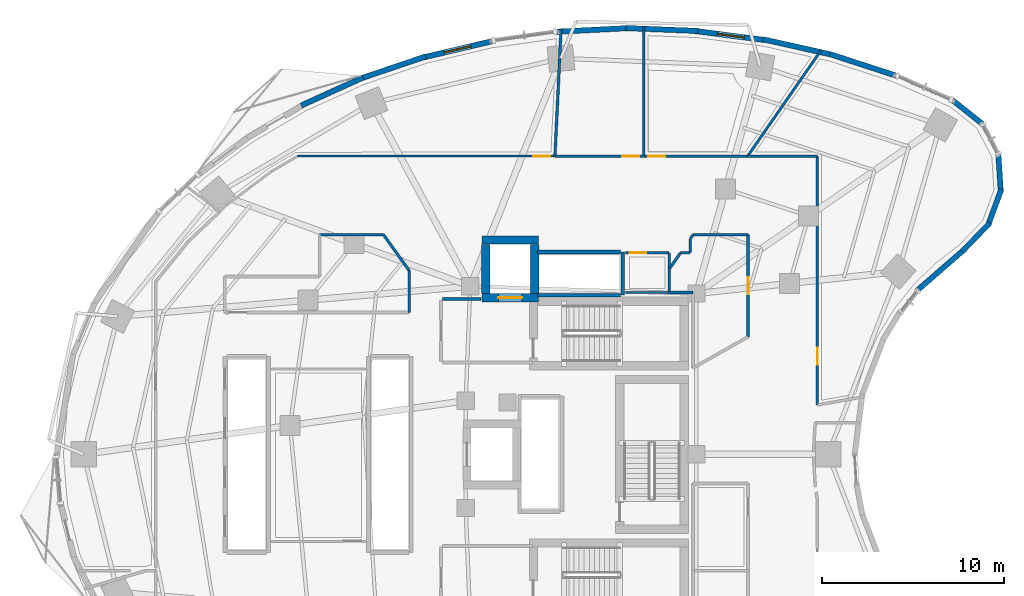
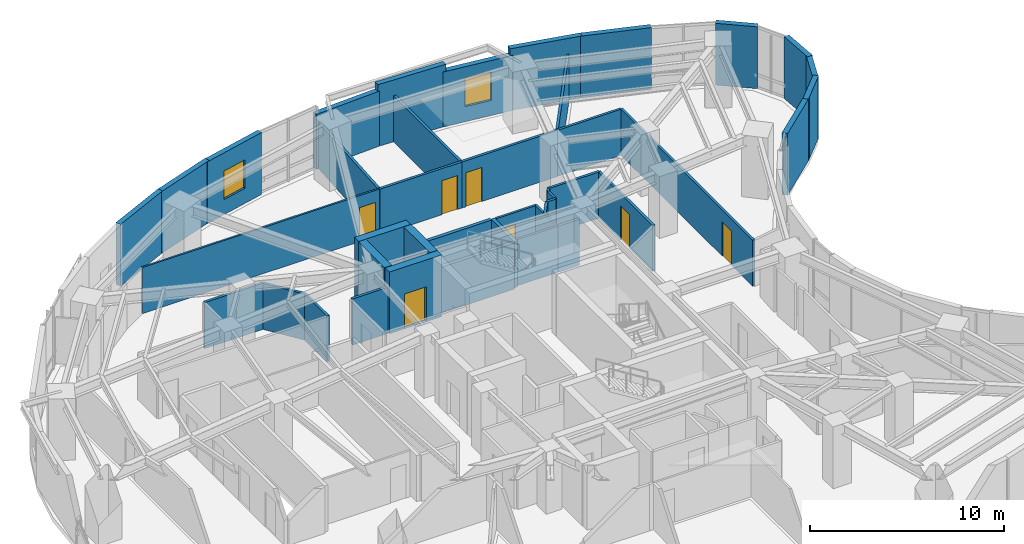
# One storey, part 11 of 15: 42 walls, 7 doors, 2 windows, 9 openings.
"""IFC4 building model written with IfcOpenShell, lengths in metres."""

from ifc_helpers import new_model, si_unit, direction, frame, frame_2d, origin, place, context, subcontext, project, spatial, rectangle, extrude, material, layer, layer_set, type_object, element, fill, save


model = new_model("IFC4")

# Units and contexts
model_context = context("Model", 3, precision=1e-05, world=origin(), true_north=direction((0.0, 1.0)))
body_context = subcontext(model_context, "Body", "Model", "MODEL_VIEW")
ifc_project = project(units=[si_unit("LENGTHUNIT", "METRE"), si_unit("AREAUNIT", "SQUARE_METRE"), si_unit("VOLUMEUNIT", "CUBIC_METRE"), si_unit("PLANEANGLEUNIT", "RADIAN"), si_unit("MASSUNIT", "GRAM", prefix="KILO")], contexts=[model_context])

# Site, building, storey
site_placement = place(None, origin())
site = spatial("IfcSite", under=ifc_project, at=site_placement, CompositionType="ELEMENT")
building_placement = place(site_placement, origin())
building = spatial("IfcBuilding", under=site, at=building_placement, Name="Korentha Bioscience Tower", CompositionType="ELEMENT")
storey_placement = place(building_placement, frame((0.0, 0.0, 38.39990234375)))
storey = spatial("IfcBuildingStorey", under=building, at=storey_placement, Name="L08", CompositionType="ELEMENT", Elevation=38.39990234375)

# Wall, opening, door
ifc_material_1 = material(Name="Double-Stud Acoustic Gypsum", Category="gypsum")
ifc_layer_1 = layer(ifc_material_1, 0.14990234375, Name="Double-Stud Acoustic Gypsum")
ifc_layer_set_1 = layer_set([ifc_layer_1], Name="Double-Stud Acoustic Gypsum (IW-L150)")
wall_type_1 = type_object("IfcWallType", Name="Acoustic Laboratory Partition Wall 150", PredefinedType="PARTITIONING", material=ifc_layer_set_1)
wall_1_placement = place(storey_placement, frame((40.389892578125, 39.090087890625, 0.0), z_axis=(0.0, 0.0, 1.0), x_axis=(0.0, -1.0, 0.0)))
wall_1 = element("IfcWall", 1, at=wall_1_placement, inside=storey, type_object=wall_type_1, Name="L08 Fluorescence Confocal Microscopy Room 10 Entrance Wall", PredefinedType="PARTITIONING", context=body_context, shape_type="SweptSolid", body=[
    extrude(rectangle(XDim=5.62109375, YDim=0.14990234375, at=frame_2d((2.810546875, 0.0))), origin(), (0.0, 0.0, 1.0), 2.91015625),
])
opening_1_placement = place(wall_1_placement, frame((2.33544921875, 0.0, 0.0)))
opening_1 = element("IfcOpeningElement", 2, at=opening_1_placement, cuts=wall_1, Name="Opening ID-10R", PredefinedType="OPENING", context=body_context, shape_type="SweptSolid", body=[
    extrude(rectangle(XDim=0.949951171875, YDim=2.14990234375, at=frame_2d((0.47509765625, 1.074951171875))), frame((0.0, 0.08984375, 0.0), z_axis=(0.0, -1.0, 0.0), x_axis=(1.0, 0.0, 0.0)), (0.0, 0.0, 1.0), 0.1796875),
])
ifc_material_2 = material(Name="Phenolic Laminate Timber Core", Category="wood")
door_type_1 = type_object("IfcDoorType", Name="Laboratory Single Leaf Door 950x2150 Right", OperationType="SINGLE_SWING_RIGHT", PredefinedType="DOOR", material=ifc_material_2)
door_1_placement = place(opening_1_placement, origin())
door_1 = element("IfcDoor", 3, at=door_1_placement, inside=storey, type_object=door_type_1, Name="L08 Fluorescence Confocal Microscopy Room 10 Door", OperationType="SINGLE_SWING_RIGHT", OverallHeight=2.14990234375, OverallWidth=0.949951171875, PredefinedType="DOOR", context=body_context, shape_type="SweptSolid", body=[
    extrude(rectangle(XDim=0.949951171875, YDim=2.14990234375, at=frame_2d((0.47509765625, 1.074951171875))), frame((0.0, 0.02490234375, 0.0), z_axis=(0.0, -1.0, 0.0), x_axis=(1.0, 0.0, 0.0)), (0.0, 0.0, 1.0), 0.050048828125),
])
fill(opening_1, door_1)

wall_2_placement = place(storey_placement, frame((40.35302734375, 43.409912109375, 0.0), z_axis=(0.0, 0.0, 1.0), x_axis=(-1.0, 0.0, 0.0)))
wall_2 = element("IfcWall", 4, at=wall_2_placement, inside=storey, type_object=wall_type_1, Name="L08 Incubator and Bioreactor Suite 11 Entrance Wall", PredefinedType="PARTITIONING", context=body_context, shape_type="SweptSolid", body=[
    extrude(rectangle(XDim=5.700927734375, YDim=0.14990234375, at=frame_2d((2.8505859375, 0.0))), origin(), (0.0, 0.0, 1.0), 2.91015625),
])
opening_2_placement = place(wall_2_placement, frame((4.510986328125, 0.0, 0.0)))
opening_2 = element("IfcOpeningElement", 5, at=opening_2_placement, cuts=wall_2, Name="Opening ID-10L", PredefinedType="OPENING", context=body_context, shape_type="SweptSolid", body=[
    extrude(rectangle(XDim=0.949951171875, YDim=2.14990234375, at=frame_2d((0.47509765625, 1.074951171875))), frame((0.0, 0.08984375, 0.0), z_axis=(0.0, -1.0, 0.0), x_axis=(1.0, 0.0, 0.0)), (0.0, 0.0, 1.0), 0.1796875),
])
door_type_2 = type_object("IfcDoorType", Name="Laboratory Single Leaf Door 950x2150 Left", OperationType="SINGLE_SWING_LEFT", PredefinedType="DOOR", material=ifc_material_2)
door_2_placement = place(opening_2_placement, origin())
door_2 = element("IfcDoor", 6, at=door_2_placement, inside=storey, type_object=door_type_2, Name="L08 Incubator and Bioreactor Suite 11 Door", OperationType="SINGLE_SWING_LEFT", OverallHeight=2.14990234375, OverallWidth=0.949951171875, PredefinedType="DOOR", context=body_context, shape_type="SweptSolid", body=[
    extrude(rectangle(XDim=0.949951171875, YDim=2.14990234375, at=frame_2d((0.47509765625, 1.074951171875))), frame((0.0, 0.02490234375, 0.0), z_axis=(0.0, -1.0, 0.0), x_axis=(1.0, 0.0, 0.0)), (0.0, 0.0, 1.0), 0.050048828125),
])
fill(opening_2, door_2)

wall_3_placement = place(storey_placement, frame((34.64208984375, 43.409912109375, 0.0), z_axis=(0.0, 0.0, 1.0), x_axis=(-1.0, 0.0, 0.0)))
wall_3 = element("IfcWall", 7, at=wall_3_placement, inside=storey, type_object=wall_type_1, Name="L08 Translational Medicine Team Office 12 Entrance Wall", PredefinedType="PARTITIONING", context=body_context, shape_type="SweptSolid", body=[
    extrude(rectangle(XDim=4.88037109375, YDim=0.14990234375, at=frame_2d((2.440185546875, 0.0))), origin(), (0.0, 0.0, 1.0), 2.91015625),
])
opening_3_placement = place(wall_3_placement, frame((0.239990234375, 0.0, 0.0)))
opening_3 = element("IfcOpeningElement", 8, at=opening_3_placement, cuts=wall_3, Name="Opening ID-10R", PredefinedType="OPENING", context=body_context, shape_type="SweptSolid", body=[
    extrude(rectangle(XDim=0.949951171875, YDim=2.14990234375, at=frame_2d((0.47509765625, 1.074951171875))), frame((0.0, 0.08984375, 0.0), z_axis=(0.0, -1.0, 0.0), x_axis=(1.0, 0.0, 0.0)), (0.0, 0.0, 1.0), 0.1796875),
])
door_3_placement = place(opening_3_placement, origin())
door_3 = element("IfcDoor", 9, at=door_3_placement, inside=storey, type_object=door_type_1, Name="L08 Translational Medicine Team Office 12 Door", OperationType="SINGLE_SWING_RIGHT", OverallHeight=2.14990234375, OverallWidth=0.949951171875, PredefinedType="DOOR", context=body_context, shape_type="SweptSolid", body=[
    extrude(rectangle(XDim=0.949951171875, YDim=2.14990234375, at=frame_2d((0.47509765625, 1.074951171875))), frame((0.0, 0.02490234375, 0.0), z_axis=(0.0, -1.0, 0.0), x_axis=(1.0, 0.0, 0.0)), (0.0, 0.0, 1.0), 0.050048828125),
])
fill(opening_3, door_3)

# Walls
wall_4_placement = place(storey_placement, frame((36.67138671875, 38.090087890625, 0.0), z_axis=(0.0, 0.0, 1.0), x_axis=(1.0, 0.0, 0.0)))
element("IfcWall", 10, at=wall_4_placement, inside=storey, type_object=wall_type_1, Name="L08 Interior Partition 060", PredefinedType="PARTITIONING", context=body_context, shape_type="SweptSolid", body=[
    extrude(rectangle(XDim=0.528564453125, YDim=0.14990234375, at=frame_2d((0.26416015625, 0.0))), origin(), (0.0, 0.0, 1.0), 2.91015625),
])
wall_5_placement = place(storey_placement, frame((37.2099609375, 38.10009765625, 0.0), z_axis=(0.0, 0.0, 1.0), x_axis=(0.0, 1.0, 0.0)))
element("IfcWall", 11, at=wall_5_placement, inside=storey, type_object=wall_type_1, Name="L08 Interior Partition 061", PredefinedType="PARTITIONING", context=body_context, shape_type="SweptSolid", body=[
    extrude(rectangle(XDim=0.76611328125, YDim=0.14990234375, at=frame_2d((0.383056640625, 0.0))), origin(), (0.0, 0.0, 1.0), 2.91015625),
])
wall_6_placement = place(storey_placement, frame((37.2099609375, 38.8662109375, 0.0), z_axis=(0.0, 0.0, 1.0), x_axis=(0.570513293283, 0.821288367254, 0.0)))
element("IfcWall", 12, at=wall_6_placement, inside=storey, type_object=wall_type_1, Name="L08 Interior Partition 062", PredefinedType="PARTITIONING", context=body_context, shape_type="SweptSolid", body=[
    extrude(rectangle(XDim=0.272705078125, YDim=0.14990234375, at=frame_2d((0.13623046875, 0.0))), origin(), (0.0, 0.0, 1.0), 2.91015625),
])
wall_7_placement = place(storey_placement, frame((37.365478515625, 39.090087890625, 0.0), z_axis=(0.0, 0.0, 1.0), x_axis=(1.0, 0.0, 0.0)))
element("IfcWall", 13, at=wall_7_placement, inside=storey, type_object=wall_type_1, Name="L08 Interior Partition 063", PredefinedType="PARTITIONING", context=body_context, shape_type="SweptSolid", body=[
    extrude(rectangle(XDim=3.0244140625, YDim=0.14990234375, at=frame_2d((1.51220703125, 0.0))), origin(), (0.0, 0.0, 1.0), 2.91015625),
])
wall_8_placement = place(storey_placement, frame((37.35009765625, 35.909912109375, 0.0), z_axis=(0.0, 0.0, 1.0), x_axis=(-1.0, 0.0, 0.0)))
element("IfcWall", 14, at=wall_8_placement, inside=storey, type_object=wall_type_1, Name="L08 Interior Partition 066", PredefinedType="PARTITIONING", context=body_context, shape_type="SweptSolid", body=[
    extrude(rectangle(XDim=1.2900390625, YDim=0.14990234375, at=frame_2d((0.64501953125, 0.0))), origin(), (0.0, 0.0, 1.0), 2.91015625),
])
wall_9_placement = place(storey_placement, frame((36.06005859375, 37.208740234375, 0.0), z_axis=(0.0, 0.0, 1.0), x_axis=(0.569943577232, 0.821683831393, 0.0)))
element("IfcWall", 15, at=wall_9_placement, inside=storey, type_object=wall_type_1, Name="L08 Interior Partition 067", PredefinedType="PARTITIONING", context=body_context, shape_type="SweptSolid", body=[
    extrude(rectangle(XDim=1.072509765625, YDim=0.14990234375, at=frame_2d((0.5361328125, 0.0))), origin(), (0.0, 0.0, 1.0), 2.91015625),
])
wall_10_placement = place(storey_placement, frame((34.652099609375, 43.409912109375, 0.0), z_axis=(0.0, 0.0, 1.0), x_axis=(0.0, 1.0, 0.0)))
element("IfcWall", 16, at=wall_10_placement, inside=storey, type_object=wall_type_1, Name="L08 Interior Partition 068", PredefinedType="PARTITIONING", context=body_context, shape_type="SweptSolid", body=[
    extrude(rectangle(XDim=7.13427734375, YDim=0.14990234375, at=frame_2d((3.567138671875, 0.0))), origin(), (0.0, 0.0, 1.0), 2.91015625),
])
wall_11_placement = place(storey_placement, frame((29.76171875, 43.409912109375, 0.0), z_axis=(0.0, 0.0, 1.0), x_axis=(0.047838889666, 0.99885506488, 0.0)))
element("IfcWall", 17, at=wall_11_placement, inside=storey, type_object=wall_type_1, Name="L08 Interior Partition 069", PredefinedType="PARTITIONING", context=body_context, shape_type="SweptSolid", body=[
    extrude(rectangle(XDim=6.99169921875, YDim=0.14990234375, at=frame_2d((3.495849609375, 0.0))), origin(), (0.0, 0.0, 1.0), 2.91015625),
])
wall_12_placement = place(storey_placement, frame((21.739990234375, 37.111083984375, 0.0), z_axis=(0.0, 0.0, 1.0), x_axis=(0.0, -1.0, 0.0)))
element("IfcWall", 18, at=wall_12_placement, inside=storey, type_object=wall_type_1, Name="L08 Interior Partition 074", PredefinedType="PARTITIONING", context=body_context, shape_type="SweptSolid", body=[
    extrude(rectangle(XDim=2.301025390625, YDim=0.14990234375, at=frame_2d((1.150390625, 0.0))), origin(), (0.0, 0.0, 1.0), 2.91015625),
])
wall_13_placement = place(storey_placement, frame((16.81005859375, 39.090087890625, 0.0), z_axis=(0.0, 0.0, 1.0), x_axis=(1.0, 0.0, 0.0)))
element("IfcWall", 19, at=wall_13_placement, inside=storey, type_object=wall_type_1, Name="L08 Interior Partition 078", PredefinedType="PARTITIONING", context=body_context, shape_type="SweptSolid", body=[
    extrude(rectangle(XDim=3.5146484375, YDim=0.14990234375, at=frame_2d((1.75732421875, 0.0))), origin(), (0.0, 0.0, 1.0), 2.91015625),
])
wall_14_placement = place(storey_placement, frame((20.32470703125, 39.090087890625, 0.0), z_axis=(0.0, 0.0, 1.0), x_axis=(0.581703214005, -0.813401113115, 0.0)))
element("IfcWall", 20, at=wall_14_placement, inside=storey, type_object=wall_type_1, Name="L08 Interior Partition 079", PredefinedType="PARTITIONING", context=body_context, shape_type="SweptSolid", body=[
    extrude(rectangle(XDim=2.43310546875, YDim=0.14990234375, at=frame_2d((1.216552734375, 0.0))), origin(), (0.0, 0.0, 1.0), 2.91015625),
])

# Wall, opening, door
ifc_material_3 = material(Name="Insulated Aluminium Honeycomb Panel", Category="aluminium")
ifc_layer_2 = layer(ifc_material_3, 0.139892578125, Name="Insulated Aluminium Honeycomb Panel")
ifc_layer_set_2 = layer_set([ifc_layer_2], Name="Insulated Aluminium Honeycomb Panel (IW-F60)")
wall_type_2 = type_object("IfcWallType", Name="Cleanroom Flush Metal Panel Partition 140", PredefinedType="PARTITIONING", material=ifc_layer_set_2)
wall_15_placement = place(storey_placement, frame((44.2099609375, 29.719970703125, 0.0), z_axis=(0.0, 0.0, 1.0), x_axis=(0.0, 1.0, 0.0)))
wall_15 = element("IfcWall", 21, at=wall_15_placement, inside=storey, type_object=wall_type_2, Name="L08 Airlock Gowning Anteroom 09 Entrance Wall", PredefinedType="PARTITIONING", context=body_context, shape_type="SweptSolid", body=[
    extrude(rectangle(XDim=13.679931640625, YDim=0.139892578125, at=frame_2d((6.83984375, 0.0))), origin(), (0.0, 0.0, 1.0), 2.91015625),
])
opening_4_placement = place(wall_15_placement, frame((2.2021484375, 0.0, 0.0)))
opening_4 = element("IfcOpeningElement", 22, at=opening_4_placement, cuts=wall_15, Name="Opening ID-10L", PredefinedType="OPENING", context=body_context, shape_type="SweptSolid", body=[
    extrude(rectangle(XDim=0.949951171875, YDim=2.14990234375, at=frame_2d((0.47509765625, 1.074951171875))), frame((0.0, 0.0849609375, 0.0), z_axis=(0.0, -1.0, 0.0), x_axis=(1.0, 0.0, 0.0)), (0.0, 0.0, 1.0), 0.169677734375),
])
door_4_placement = place(opening_4_placement, origin())
door_4 = element("IfcDoor", 23, at=door_4_placement, inside=storey, type_object=door_type_2, Name="L08 Airlock Gowning Anteroom 09 Door", OperationType="SINGLE_SWING_LEFT", OverallHeight=2.14990234375, OverallWidth=0.949951171875, PredefinedType="DOOR", context=body_context, shape_type="SweptSolid", body=[
    extrude(rectangle(XDim=0.949951171875, YDim=2.14990234375, at=frame_2d((0.47509765625, 1.074951171875))), frame((0.0, 0.02490234375, 0.0), z_axis=(0.0, -1.0, 0.0), x_axis=(1.0, 0.0, 0.0)), (0.0, 0.0, 1.0), 0.050048828125),
])
fill(opening_4, door_4)

# Walls
wall_16_placement = place(storey_placement, frame((44.199951171875, 43.409912109375, 0.0), z_axis=(0.0, 0.0, 1.0), x_axis=(-1.0, 0.0, 0.0)))
element("IfcWall", 24, at=wall_16_placement, inside=storey, type_object=wall_type_2, Name="L08 Interior Partition 058", PredefinedType="PARTITIONING", context=body_context, shape_type="SweptSolid", body=[
    extrude(rectangle(XDim=3.8369140625, YDim=0.139892578125, at=frame_2d((1.91845703125, 0.0))), origin(), (0.0, 0.0, 1.0), 2.91015625),
])
wall_17_placement = place(storey_placement, frame((40.363037109375, 43.409912109375, 0.0), z_axis=(0.0, 0.0, 1.0), x_axis=(0.570097674314, 0.821576923813, 0.0)))
element("IfcWall", 25, at=wall_17_placement, inside=storey, type_object=wall_type_2, Name="L08 Interior Partition 059", PredefinedType="PARTITIONING", context=body_context, shape_type="SweptSolid", body=[
    extrude(rectangle(XDim=7.0908203125, YDim=0.139892578125, at=frame_2d((3.54541015625, 0.0))), origin(), (0.0, 0.0, 1.0), 2.91015625),
])

# Wall, opening, door
ifc_material_4 = material(Name="Fire-Rated Framed Glass", Category="glass")
ifc_layer_3 = layer(ifc_material_4, 0.110107421875, Name="Fire-Rated Framed Glass")
ifc_layer_set_3 = layer_set([ifc_layer_3], Name="Fire-Rated Framed Glass (IW-G110)")
wall_type_3 = type_object("IfcWallType", Name="Demountable Glazed Office Partition 110", PredefinedType="MOVABLE", material=ifc_layer_set_3)
wall_18_placement = place(storey_placement, frame((29.751708984375, 43.409912109375, 0.0), z_axis=(0.0, 0.0, 1.0), x_axis=(-1.0, 0.0, 0.0)))
wall_18 = element("IfcWall", 26, at=wall_18_placement, inside=storey, type_object=wall_type_3, Name="L08 Biostatistics Research Office 13 Entrance Wall", PredefinedType="MOVABLE", context=body_context, shape_type="SweptSolid", body=[
    extrude(rectangle(XDim=14.160888671875, YDim=0.110107421875, at=frame_2d((7.08056640625, 0.0))), origin(), (0.0, 0.0, 1.0), 2.91015625),
])
opening_5_placement = place(wall_18_placement, frame((0.239990234375, 0.0, 0.0)))
opening_5 = element("IfcOpeningElement", 27, at=opening_5_placement, cuts=wall_18, Name="Opening ID-10L", PredefinedType="OPENING", context=body_context, shape_type="SweptSolid", body=[
    extrude(rectangle(XDim=0.949951171875, YDim=2.14990234375, at=frame_2d((0.47509765625, 1.074951171875))), frame((0.0, 0.06982421875, 0.0), z_axis=(0.0, -1.0, 0.0), x_axis=(1.0, 0.0, 0.0)), (0.0, 0.0, 1.0), 0.139892578125),
])
door_5_placement = place(opening_5_placement, origin())
door_5 = element("IfcDoor", 28, at=door_5_placement, inside=storey, type_object=door_type_2, Name="L08 Biostatistics Research Office 13 Door", OperationType="SINGLE_SWING_LEFT", OverallHeight=2.14990234375, OverallWidth=0.949951171875, PredefinedType="DOOR", context=body_context, shape_type="SweptSolid", body=[
    extrude(rectangle(XDim=0.949951171875, YDim=2.14990234375, at=frame_2d((0.47509765625, 1.074951171875))), frame((0.0, 0.02490234375, 0.0), z_axis=(0.0, -1.0, 0.0), x_axis=(1.0, 0.0, 0.0)), (0.0, 0.0, 1.0), 0.050048828125),
])
fill(opening_5, door_5)

# Wall
ifc_material_5 = material(Name="Gypsum-Clad Steel Stud", Category="steel")
ifc_layer_4 = layer(ifc_material_5, 0.159912109375, Name="Gypsum-Clad Steel Stud")
ifc_layer_set_4 = layer_set([ifc_layer_4], Name="Gypsum-Clad Steel Stud (IW-C160)")
wall_type_4 = type_object("IfcWallType", Name="Fire-Rated Corridor Partition Wall 160", PredefinedType="PARTITIONING", material=ifc_layer_set_4)
wall_19_placement = place(storey_placement, frame((23.580078125, 35.550048828125, 0.0), z_axis=(0.0, 0.0, 1.0), x_axis=(1.0, 0.0, 0.0)))
element("IfcWall", 29, at=wall_19_placement, inside=storey, type_object=wall_type_4, Name="L08 Firefighting Lobby Return Wall FFLN-N", PredefinedType="PARTITIONING", context=body_context, shape_type="SweptSolid", body=[
    extrude(rectangle(XDim=2.119873046875, YDim=0.159912109375, at=frame_2d((1.06005859375, 0.0))), origin(), (0.0, 0.0, 1.0), 2.91015625),
])

# Wall, opening, window
ifc_material_6 = material(Name="Honed Limestone Precast Concrete C40", Category="masonry")
ifc_layer_5 = layer(ifc_material_6, 0.300048828125, Name="Honed Limestone Precast Concrete C40")
ifc_layer_set_5 = layer_set([ifc_layer_5], Name="Honed Limestone Precast Concrete C40 (EW-ST300)")
wall_type_5 = type_object("IfcWallType", Name="Honed Limestone Cavity Spandrel Wall 300", PredefinedType="STANDARD", material=ifc_layer_set_5)
wall_20_placement = place(storey_placement, frame((41.37255859375, 49.797607421875, 0.0), z_axis=(0.0, 0.0, 1.0), x_axis=(-0.991741322416, 0.128254237408, 0.0)))
wall_20 = element("IfcWall", 30, at=wall_20_placement, inside=storey, type_object=wall_type_5, Name="L08 Honed Limestone Spandrel Wall 04", PredefinedType="STANDARD", context=body_context, shape_type="SweptSolid", body=[
    extrude(rectangle(XDim=3.91552734375, YDim=0.300048828125, at=frame_2d((1.957763671875, 0.0))), origin(), (0.0, 0.0, 1.0), 3.47021484375),
])
opening_6_placement = place(wall_20_placement, frame((1.2080078125, 0.0, 0.949951171875)))
opening_6 = element("IfcOpeningElement", 31, at=opening_6_placement, cuts=wall_20, Name="Opening WN-02", PredefinedType="OPENING", context=body_context, shape_type="SweptSolid", body=[
    extrude(rectangle(XDim=1.5, YDim=1.800048828125, at=frame_2d((0.75, 0.89990234375))), frame((0.0, 0.1650390625, 0.0), z_axis=(0.0, -1.0, 0.0), x_axis=(1.0, 0.0, 0.0)), (0.0, 0.0, 1.0), 0.329833984375),
])
ifc_material_7 = material(Name="Thermally Broken Aluminium Triple Glazing", Category="aluminium")
window_type = type_object("IfcWindowType", Name="Acoustic Operable Office Window 1500x1800", PartitioningType="DOUBLE_PANEL_VERTICAL", PredefinedType="WINDOW", material=ifc_material_7)
window_1_placement = place(opening_6_placement, origin())
window_1 = element("IfcWindow", 32, at=window_1_placement, inside=storey, type_object=window_type, Name="L08 Facade Window 04", OverallHeight=1.800048828125, OverallWidth=1.5, PartitioningType="DOUBLE_PANEL_VERTICAL", PredefinedType="WINDOW", context=body_context, shape_type="SweptSolid", body=[
    extrude(rectangle(XDim=1.5, YDim=1.800048828125, at=frame_2d((0.75, 0.89990234375))), frame((0.0, 0.030029296875, 0.0), z_axis=(0.0, -1.0, 0.0), x_axis=(1.0, 0.0, 0.0)), (0.0, 0.0, 1.0), 0.06005859375),
])
fill(opening_6, window_1)

wall_21_placement = place(storey_placement, frame((26.282470703125, 49.73486328125, 0.0), z_axis=(0.0, 0.0, 1.0), x_axis=(-0.973186156802, -0.230018921417, 0.0)))
wall_21 = element("IfcWall", 33, at=wall_21_placement, inside=storey, type_object=wall_type_5, Name="L08 Honed Limestone Spandrel Wall 08", PredefinedType="STANDARD", context=body_context, shape_type="SweptSolid", body=[
    extrude(rectangle(XDim=3.861328125, YDim=0.300048828125, at=frame_2d((1.9306640625, 0.0))), origin(), (0.0, 0.0, 1.0), 3.900146484375),
])
opening_7_placement = place(wall_21_placement, frame((1.1806640625, 0.0, 0.949951171875)))
opening_7 = element("IfcOpeningElement", 34, at=opening_7_placement, cuts=wall_21, Name="Opening WN-02", PredefinedType="OPENING", context=body_context, shape_type="SweptSolid", body=[
    extrude(rectangle(XDim=1.5, YDim=1.800048828125, at=frame_2d((0.75, 0.89990234375))), frame((0.0, 0.1650390625, 0.0), z_axis=(0.0, -1.0, 0.0), x_axis=(1.0, 0.0, 0.0)), (0.0, 0.0, 1.0), 0.329833984375),
])
window_2_placement = place(opening_7_placement, origin())
window_2 = element("IfcWindow", 35, at=window_2_placement, inside=storey, type_object=window_type, Name="L08 Facade Window 08", OverallHeight=1.800048828125, OverallWidth=1.5, PartitioningType="DOUBLE_PANEL_VERTICAL", PredefinedType="WINDOW", context=body_context, shape_type="SweptSolid", body=[
    extrude(rectangle(XDim=1.5, YDim=1.800048828125, at=frame_2d((0.75, 0.89990234375))), frame((0.0, 0.030029296875, 0.0), z_axis=(0.0, -1.0, 0.0), x_axis=(1.0, 0.0, 0.0)), (0.0, 0.0, 1.0), 0.06005859375),
])
fill(opening_7, window_2)

# Walls
wall_22_placement = place(storey_placement, frame((48.524658203125, 47.84912109375, 0.0), z_axis=(0.0, 0.0, 1.0), x_axis=(-0.950965833732, 0.309295947393, 0.0)))
element("IfcWall", 36, at=wall_22_placement, inside=storey, type_object=wall_type_5, Name="L08 Limestone Perimeter Closure Wall 02", PredefinedType="STANDARD", context=body_context, shape_type="SweptSolid", body=[
    extrude(rectangle(XDim=3.840087890625, YDim=0.300048828125, at=frame_2d((1.919921875, 0.0))), origin(), (0.0, 0.0, 1.0), 3.900146484375),
])
wall_23_placement = place(storey_placement, frame((45.03955078125, 48.9912109375, 0.0), z_axis=(0.0, 0.0, 1.0), x_axis=(-0.975868573345, 0.218358713032, 0.0)))
element("IfcWall", 37, at=wall_23_placement, inside=storey, type_object=wall_type_5, Name="L08 Limestone Perimeter Closure Wall 03", PredefinedType="STANDARD", context=body_context, shape_type="SweptSolid", body=[
    extrude(rectangle(XDim=3.90869140625, YDim=0.300048828125, at=frame_2d((1.954345703125, 0.0))), origin(), (0.0, 0.0, 1.0), 3.900146484375),
])
wall_24_placement = place(storey_placement, frame((37.643798828125, 50.307861328125, 0.0), z_axis=(0.0, 0.0, 1.0), x_axis=(-0.999245411623, 0.038840794937, 0.0)))
element("IfcWall", 38, at=wall_24_placement, inside=storey, type_object=wall_type_5, Name="L08 Limestone Perimeter Closure Wall 05", PredefinedType="STANDARD", context=body_context, shape_type="SweptSolid", body=[
    extrude(rectangle(XDim=3.978759765625, YDim=0.300048828125, at=frame_2d((1.9892578125, 0.0))), origin(), (0.0, 0.0, 1.0), 3.900146484375),
])
wall_25_placement = place(storey_placement, frame((33.84033203125, 50.46337890625, 0.0), z_axis=(0.0, 0.0, 1.0), x_axis=(-0.998732359232, -0.050335619826, 0.0)))
element("IfcWall", 39, at=wall_25_placement, inside=storey, type_object=wall_type_5, Name="L08 Limestone Perimeter Closure Wall 06", PredefinedType="STANDARD", context=body_context, shape_type="SweptSolid", body=[
    extrude(rectangle(XDim=3.977294921875, YDim=0.300048828125, at=frame_2d((1.98876953125, 0.0))), origin(), (0.0, 0.0, 1.0), 3.47021484375),
])
wall_26_placement = place(storey_placement, frame((22.6669921875, 48.9091796875, 0.0), z_axis=(0.0, 0.0, 1.0), x_axis=(-0.94702579403, -0.321157508773, 0.0)))
element("IfcWall", 40, at=wall_26_placement, inside=storey, type_object=wall_type_5, Name="L08 Limestone Perimeter Closure Wall 09", PredefinedType="STANDARD", context=body_context, shape_type="SweptSolid", body=[
    extrude(rectangle(XDim=3.829833984375, YDim=0.300048828125, at=frame_2d((1.9150390625, 0.0))), origin(), (0.0, 0.0, 1.0), 3.900146484375),
])
wall_27_placement = place(storey_placement, frame((19.201416015625, 47.7431640625, 0.0), z_axis=(0.0, 0.0, 1.0), x_axis=(-0.910623406862, -0.413237233166, 0.0)))
element("IfcWall", 41, at=wall_27_placement, inside=storey, type_object=wall_type_5, Name="L08 Limestone Perimeter Closure Wall 10", PredefinedType="STANDARD", context=body_context, shape_type="SweptSolid", body=[
    extrude(rectangle(XDim=3.73974609375, YDim=0.300048828125, at=frame_2d((1.869873046875, 0.0))), origin(), (0.0, 0.0, 1.0), 3.900146484375),
])
wall_28_placement = place(storey_placement, frame((49.708984375, 36.029296875, 0.0), z_axis=(0.0, 0.0, 1.0), x_axis=(0.754746490246, 0.656016566454, 0.0)))
element("IfcWall", 42, at=wall_28_placement, inside=storey, type_object=wall_type_5, Name="L08 Limestone Perimeter Closure Wall 56", PredefinedType="STANDARD", context=body_context, shape_type="SweptSolid", body=[
    extrude(rectangle(XDim=3.4296875, YDim=0.300048828125, at=frame_2d((1.71484375, 0.0))), origin(), (0.0, 0.0, 1.0), 3.900146484375),
])
wall_29_placement = place(storey_placement, frame((52.1728515625, 38.1611328125, 0.0), z_axis=(0.0, 0.0, 1.0), x_axis=(0.695404695719, 0.718618333451, 0.0)))
element("IfcWall", 43, at=wall_29_placement, inside=storey, type_object=wall_type_5, Name="L08 Limestone Perimeter Closure Wall 58", PredefinedType="STANDARD", context=body_context, shape_type="SweptSolid", body=[
    extrude(rectangle(XDim=2.1875, YDim=0.300048828125, at=frame_2d((1.09375, 0.0))), origin(), (0.0, 0.0, 1.0), 3.900146484375),
])
for number, where, z_axis, x_axis, name in (
    (44, (53.580078125, 39.551513671875, 0.0), (0.0, 0.0, 1.0), (0.344939866054, 0.938624785954, 0.0), "L08 Limestone Perimeter Closure Wall 59"),
    (45, (54.303955078125, 41.392578125, 0.0), (0.0, 0.0, 1.0), (-0.064615302336, 0.99791024782, 0.0), "L08 Limestone Perimeter Closure Wall 60"),
    (46, (53.343994140625, 45.142822265625, 0.0), (0.0, 0.0, 1.0), (-0.782282158644, 0.622924252432, 0.0), "L08 Limestone Perimeter Closure Wall 62"),
):
    element("IfcWall", number, at=place(storey_placement, frame(where, z_axis=z_axis, x_axis=x_axis)), inside=storey, type_object=wall_type_5, Name=name, PredefinedType="STANDARD", context=body_context, shape_type="SweptSolid", body=[
        extrude(rectangle(XDim=2.187744140625, YDim=0.300048828125, at=frame_2d((1.09375, 0.0))), origin(), (0.0, 0.0, 1.0), 3.900146484375),
    ])
ifc_material_8 = material(Name="Autoclaved Aerated Concrete Block C25", Category="concrete")
ifc_layer_6 = layer(ifc_material_8, 0.199951171875, Name="Autoclaved Aerated Concrete Block C25")
ifc_layer_set_6 = layer_set([ifc_layer_6], Name="Autoclaved Aerated Concrete Block C25 (IW-S200)")
wall_type_6 = type_object("IfcWallType", Name="Lift and Riser Shaft Enclosure Wall 200", PredefinedType="PARTITIONING", material=ifc_layer_set_6)
wall_30_placement = place(storey_placement, frame((33.489990234375, 35.760009765625, 0.0), z_axis=(0.0, 0.0, 1.0), x_axis=(0.0, 1.0, 0.0)))
element("IfcWall", 47, at=wall_30_placement, inside=storey, type_object=wall_type_6, Name="L08 Lift Bank OBS Shaft Wall +X", PredefinedType="PARTITIONING", context=body_context, shape_type="SweptSolid", body=[
    extrude(rectangle(XDim=2.3798828125, YDim=0.199951171875, at=frame_2d((1.18994140625, 0.0))), origin(), (0.0, 0.0, 1.0), 2.91015625),
])
for number, where, z_axis, x_axis, name in (
    (48, (28.800048828125, 35.760009765625, 0.0), (0.0, 0.0, 1.0), (1.0, 0.0, 0.0), "L08 Lift Bank OBS Shaft Wall -Y"),
    (49, (28.800048828125, 38.139892578125, 0.0), (0.0, 0.0, 1.0), (1.0, 0.0, 0.0), "L08 Lift Bank OBS Shaft Wall +Y"),
):
    element("IfcWall", number, at=place(storey_placement, frame(where, z_axis=z_axis, x_axis=x_axis)), inside=storey, type_object=wall_type_6, Name=name, PredefinedType="PARTITIONING", context=body_context, shape_type="SweptSolid", body=[
        extrude(rectangle(XDim=4.570068359375, YDim=0.199951171875, at=frame_2d((2.28515625, 0.0))), origin(), (0.0, 0.0, 1.0), 2.91015625),
    ])
ifc_material_9 = material(Name="Concrete C80", Category="concrete")
ifc_layer_7 = layer(ifc_material_9, 0.449951171875, Name="Concrete C80")
ifc_layer_set_7 = layer_set([ifc_layer_7], Name="Concrete C80 (CW-C80)")
wall_type_7 = type_object("IfcWallType", Name="Lower Core Shear Wall 450", PredefinedType="SHEAR", material=ifc_layer_set_7)
wall_31_placement = place(storey_placement, frame((25.75, 38.800048828125, 0.0), z_axis=(0.0, 0.0, 1.0), x_axis=(1.0, 0.0, 0.0)))
element("IfcWall", 50, at=wall_31_placement, inside=storey, type_object=wall_type_7, Name="L08 Core Shear Wall FFL2-N", PredefinedType="SHEAR", context=body_context, shape_type="SweptSolid", body=[
    extrude(rectangle(XDim=3.10009765625, YDim=0.449951171875, at=frame_2d((1.550048828125, 0.0))), origin(), (0.0, 0.0, 1.0), 3.900146484375),
])

# Wall, opening, door
wall_32_placement = place(storey_placement, frame((25.75, 35.6201171875, 0.0), z_axis=(0.0, 0.0, 1.0), x_axis=(1.0, 0.0, 0.0)))
wall_32 = element("IfcWall", 51, at=wall_32_placement, inside=storey, type_object=wall_type_7, Name="L08 Core Shear Wall FFL2-S", PredefinedType="SHEAR", context=body_context, shape_type="SweptSolid", body=[
    extrude(rectangle(XDim=3.10009765625, YDim=0.449951171875, at=frame_2d((1.550048828125, 0.0))), origin(), (0.0, 0.0, 1.0), 3.900146484375),
])
opening_8_placement = place(wall_32_placement, frame((0.89990234375, 0.0, 0.0)))
opening_8 = element("IfcOpeningElement", 52, at=opening_8_placement, cuts=wall_32, Name="Opening LD-13", PredefinedType="OPENING", context=body_context, shape_type="SweptSolid", body=[
    extrude(rectangle(XDim=1.300048828125, YDim=2.199951171875, at=frame_2d((0.64990234375, 1.10009765625))), frame((0.0, 0.23974609375, 0.0), z_axis=(0.0, -1.0, 0.0), x_axis=(1.0, 0.0, 0.0)), (0.0, 0.0, 1.0), 0.479736328125),
])
ifc_material_10 = material(Name="Brushed Stainless Steel 316", Category="steel")
door_type_3 = type_object("IfcDoorType", Name="Service & Firefighting Lift Landing Door 1300x2300", OperationType="DOUBLE_DOOR_SLIDING", PredefinedType="DOOR", material=ifc_material_10)
door_6_placement = place(opening_8_placement, origin())
door_6 = element("IfcDoor", 53, at=door_6_placement, inside=storey, type_object=door_type_3, Name="L08 FFL-2 Sliding Lift Landing Door", OperationType="DOUBLE_DOOR_SLIDING", OverallHeight=2.199951171875, OverallWidth=1.300048828125, PredefinedType="DOOR", context=body_context, shape_type="SweptSolid", body=[
    extrude(rectangle(XDim=1.300048828125, YDim=2.199951171875, at=frame_2d((0.64990234375, 1.10009765625))), frame((0.0, 0.02490234375, 0.0), z_axis=(0.0, -1.0, 0.0), x_axis=(1.0, 0.0, 0.0)), (0.0, 0.0, 1.0), 0.050048828125),
])
fill(opening_8, door_6)

# Walls
for number, where, z_axis, x_axis, name in (
    (54, (25.949951171875, 35.860107421875, 0.0), (0.0, 0.0, 1.0), (0.0, 1.0, 0.0), "L08 Core Shear Wall FFL2-W"),
    (55, (28.64990234375, 35.860107421875, 0.0), (0.0, 0.0, 1.0), (0.0, 1.0, 0.0), "L08 Core Shear Wall FFL2-E"),
):
    element("IfcWall", number, at=place(storey_placement, frame(where, z_axis=z_axis, x_axis=x_axis)), inside=storey, type_object=wall_type_7, Name=name, PredefinedType="SHEAR", context=body_context, shape_type="SweptSolid", body=[
        extrude(rectangle(XDim=2.699951171875, YDim=0.449951171875, at=frame_2d((1.35009765625, 0.0))), origin(), (0.0, 0.0, 1.0), 3.900146484375),
    ])

# Wall, opening, door
ifc_material_11 = material(Name="Cement-Board Steel Stud", Category="steel")
ifc_layer_8 = layer(ifc_material_11, 0.1298828125, Name="Cement-Board Steel Stud")
ifc_layer_set_8 = layer_set([ifc_layer_8], Name="Cement-Board Steel Stud (IW-W130)")
wall_type_8 = type_object("IfcWallType", Name="Wet-Area Moisture-Resistant Partition 130", PredefinedType="PARTITIONING", material=ifc_layer_set_8)
wall_33_placement = place(storey_placement, frame((33.64990234375, 38.090087890625, 0.0), z_axis=(0.0, 0.0, 1.0), x_axis=(1.0, 0.0, 0.0)))
wall_33 = element("IfcWall", 56, at=wall_33_placement, inside=storey, type_object=wall_type_8, Name="L08 Accessible Staff WC Entrance Wall", PredefinedType="PARTITIONING", context=body_context, shape_type="SweptSolid", body=[
    extrude(rectangle(XDim=2.400146484375, YDim=0.1298828125, at=frame_2d((1.2001953125, 0.0))), origin(), (0.0, 0.0, 1.0), 2.91015625),
])
opening_9_placement = place(wall_33_placement, frame((0.239990234375, 0.0, 0.0)))
opening_9 = element("IfcOpeningElement", 57, at=opening_9_placement, cuts=wall_33, Name="Opening ID-09R", PredefinedType="OPENING", context=body_context, shape_type="SweptSolid", body=[
    extrude(rectangle(XDim=0.89990234375, YDim=2.14990234375, at=frame_2d((0.449951171875, 1.074951171875))), frame((0.0, 0.079833984375, 0.0), z_axis=(0.0, -1.0, 0.0), x_axis=(1.0, 0.0, 0.0)), (0.0, 0.0, 1.0), 0.15966796875),
])
ifc_material_12 = material(Name="Moisture-Resistant HPL Leaf", Category="wood")
door_type_4 = type_object("IfcDoorType", Name="Restroom & Accessible WC Door 900x2150 Right", OperationType="SINGLE_SWING_RIGHT", PredefinedType="DOOR", material=ifc_material_12)
door_7_placement = place(opening_9_placement, origin())
door_7 = element("IfcDoor", 58, at=door_7_placement, inside=storey, type_object=door_type_4, Name="L08 Accessible Staff WC Door", OperationType="SINGLE_SWING_RIGHT", OverallHeight=2.14990234375, OverallWidth=0.89990234375, PredefinedType="DOOR", context=body_context, shape_type="SweptSolid", body=[
    extrude(rectangle(XDim=0.89990234375, YDim=2.14990234375, at=frame_2d((0.449951171875, 1.074951171875))), frame((0.0, 0.02490234375, 0.0), z_axis=(0.0, -1.0, 0.0), x_axis=(1.0, 0.0, 0.0)), (0.0, 0.0, 1.0), 0.050048828125),
])
fill(opening_9, door_7)

# Walls
wall_34_placement = place(storey_placement, frame((36.050048828125, 35.909912109375, 0.0), z_axis=(0.0, 0.0, 1.0), x_axis=(-1.0, 0.0, 0.0)))
element("IfcWall", 59, at=wall_34_placement, inside=storey, type_object=wall_type_8, Name="L08 Interior Partition 021", PredefinedType="PARTITIONING", context=body_context, shape_type="SweptSolid", body=[
    extrude(rectangle(XDim=2.400146484375, YDim=0.1298828125, at=frame_2d((1.2001953125, 0.0))), origin(), (0.0, 0.0, 1.0), 2.91015625),
])
wall_35_placement = place(storey_placement, frame((36.050048828125, 38.090087890625, 0.0), z_axis=(0.0, 0.0, 1.0), x_axis=(0.0, -1.0, 0.0)))
element("IfcWall", 60, at=wall_35_placement, inside=storey, type_object=wall_type_8, Name="L08 Interior Partition 022", PredefinedType="PARTITIONING", context=body_context, shape_type="SweptSolid", body=[
    extrude(rectangle(XDim=2.18017578125, YDim=0.1298828125, at=frame_2d((1.090087890625, 0.0))), origin(), (0.0, 0.0, 1.0), 2.91015625),
])

save(model, "model.ifc")
